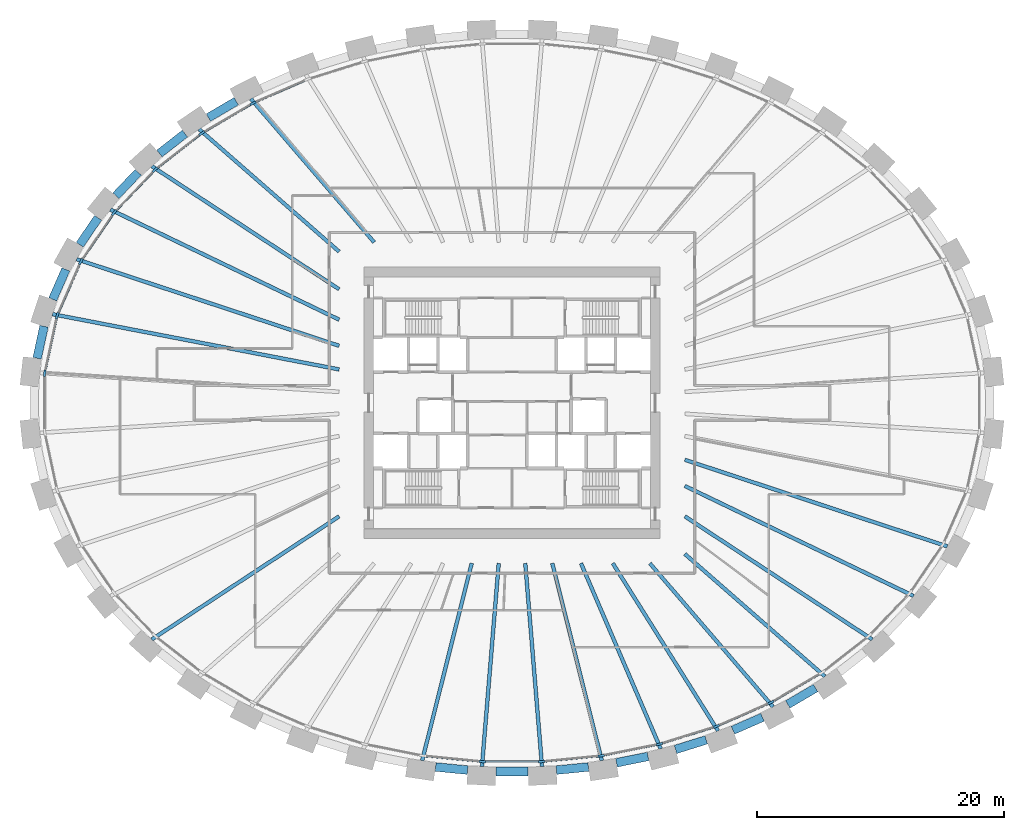
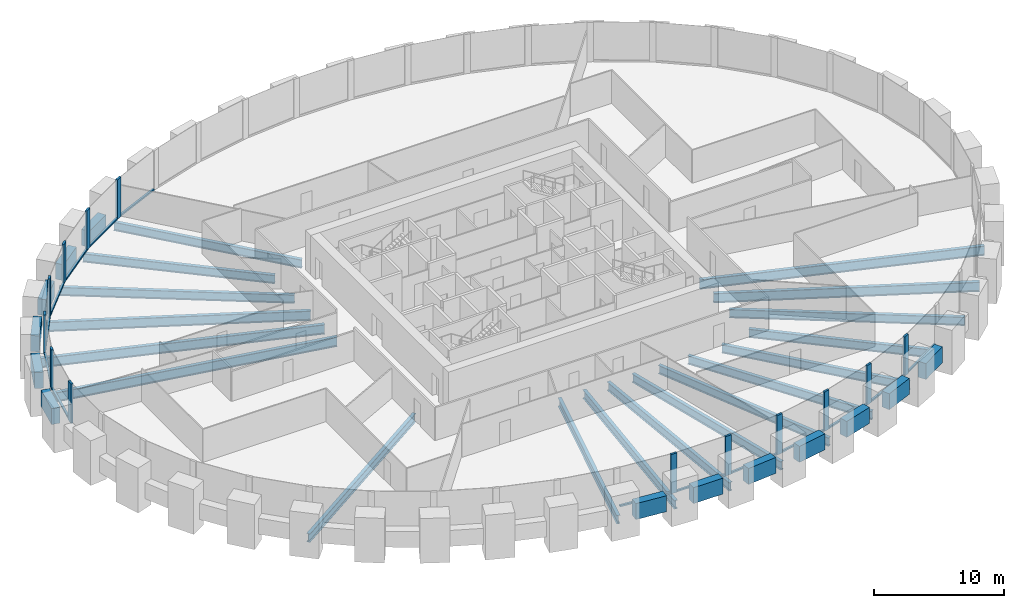
# One storey, part 2 of 11: 31 beams, 27 members, 1 element without a shape of its own.
"""IFC4 building model written with IfcOpenShell, lengths in metres."""

from ifc_helpers import new_model, si_unit, direction, frame, origin, origin_2d, place, context, subcontext, project, spatial, rectangle, i_section, extrude, source, transform, mapped, material, material_profile, profile_set, type_object, element, aggregate, save


model = new_model("IFC4")

# Units and contexts
model_context = context("Model", 3, precision=1e-05, world=origin(), true_north=direction((0.0, 1.0)))
body_context = subcontext(model_context, "Body", "Model", "MODEL_VIEW")
ifc_project = project(units=[si_unit("LENGTHUNIT", "METRE"), si_unit("AREAUNIT", "SQUARE_METRE"), si_unit("VOLUMEUNIT", "CUBIC_METRE"), si_unit("PLANEANGLEUNIT", "RADIAN"), si_unit("MASSUNIT", "GRAM", prefix="KILO")], contexts=[model_context])

# Site, building, storey
site_placement = place(None, origin())
site = spatial("IfcSite", under=ifc_project, at=site_placement, CompositionType="ELEMENT")
building_placement = place(site_placement, origin())
building = spatial("IfcBuilding", under=site, at=building_placement, Name="Embergate Tower", CompositionType="ELEMENT")
storey_placement = place(building_placement, frame((0.0, 0.0, 132.0)))
storey = spatial("IfcBuildingStorey", under=building, at=storey_placement, Name="L28", CompositionType="ELEMENT", Elevation=132.0)

# Beams
ifc_material_1 = material(Name="Concrete C70", Category="concrete")
ifc_material_profile_1 = material_profile(ifc_material_1, rectangle(XDim=0.699951171875, YDim=1.5, at=origin_2d()), Name="RC 700x1500")
ifc_profile_set_1 = profile_set([ifc_material_profile_1], Name="Concrete C70")
beam_type_1 = type_object("IfcBeamType", Name="Spandrel beam RC 700x1500 C70", PredefinedType="BEAM", material=ifc_profile_set_1)
shared_shape_1 = source(origin(), body_context, "Body", "SweptSolid", [
    extrude(rectangle(XDim=0.699951171875, YDim=1.5, at=origin_2d()), origin(), (0.0, 0.0, 1.0), 2.644287109375),
])
beam_1_placement = place(storey_placement, frame((-37.906005859375, 6.195068359375, 0.0), z_axis=(-0.210600871974, -0.977572131724, 0.0), x_axis=(0.977572131724, -0.210600871974, 0.0)))
element("IfcBeam", 1, at=beam_1_placement, inside=storey, type_object=beam_type_1, Name="SPN-L28-20", PredefinedType="BEAM", context=body_context, shape_type="MappedRepresentation", body=[
    mapped(shared_shape_1, transform((0.0, 0.0, 0.0))),
])
shared_shape_2 = source(origin(), body_context, "Body", "SweptSolid", [
    extrude(rectangle(XDim=0.699951171875, YDim=1.5, at=origin_2d()), origin(), (0.0, 0.0, 1.0), 2.640625),
])
beam_2_placement = place(storey_placement, frame((-36.137939453125, 10.801025390625, 0.0), z_axis=(-0.401827456717, -0.915715400672, 0.0), x_axis=(0.915715400672, -0.401827456717, 0.0)))
element("IfcBeam", 2, at=beam_2_placement, inside=storey, type_object=beam_type_1, Name="SPN-L28-19", PredefinedType="BEAM", context=body_context, shape_type="MappedRepresentation", body=[
    mapped(shared_shape_2, transform((0.0, 0.0, 0.0))),
])
shared_shape_3 = source(origin(), body_context, "Body", "SweptSolid", [
    extrude(rectangle(XDim=0.699951171875, YDim=1.5, at=origin_2d()), origin(), (0.0, 0.0, 1.0), 2.63037109375),
])
beam_3_placement = place(storey_placement, frame((-33.528076171875, 14.97900390625, 0.0), z_axis=(-0.562302404878, -0.826931681258, 0.0), x_axis=(0.826931681258, -0.562302404878, 0.0)))
element("IfcBeam", 3, at=beam_3_placement, inside=storey, type_object=beam_type_1, Name="SPN-L28-18", PredefinedType="BEAM", context=body_context, shape_type="MappedRepresentation", body=[
    mapped(shared_shape_3, transform((0.0, 0.0, 0.0))),
])
shared_shape_4 = source(origin(), body_context, "Body", "SweptSolid", [
    extrude(rectangle(XDim=0.699951171875, YDim=1.5, at=origin_2d()), origin(), (0.0, 0.0, 1.0), 2.6240234375),
])
beam_4_placement = place(storey_placement, frame((-30.27099609375, 18.6669921875, 0.0), z_axis=(-0.690161462012, -0.723655412716, 0.0), x_axis=(0.723655412716, -0.690161462012, 0.0)))
element("IfcBeam", 4, at=beam_4_placement, inside=storey, type_object=beam_type_1, Name="SPN-L28-17", PredefinedType="BEAM", context=body_context, shape_type="MappedRepresentation", body=[
    mapped(shared_shape_4, transform((0.0, 0.0, 0.0))),
])
shared_shape_5 = source(origin(), body_context, "Body", "SweptSolid", [
    extrude(rectangle(XDim=0.699951171875, YDim=1.5, at=origin_2d()), origin(), (0.0, 0.0, 1.0), 2.617431640625),
])
beam_5_placement = place(storey_placement, frame((-26.489990234375, 21.806884765625, 0.0), z_axis=(-0.788185558189, -0.615437670169, 0.0), x_axis=(0.615437670169, -0.788185558189, 0.0)))
element("IfcBeam", 5, at=beam_5_placement, inside=storey, type_object=beam_type_1, Name="SPN-L28-16", PredefinedType="BEAM", context=body_context, shape_type="MappedRepresentation", body=[
    mapped(shared_shape_5, transform((0.0, 0.0, 0.0))),
])
shared_shape_6 = source(origin(), body_context, "Body", "SweptSolid", [
    extrude(rectangle(XDim=0.699951171875, YDim=1.5, at=origin_2d()), origin(), (0.0, 0.0, 1.0), 2.61328125),
])
for number, where, z_axis, x_axis, name in (
    (6, (-22.3349609375, 24.425048828125, 0.0), (-0.862147892726, -0.506656699421, 0.0), (0.506656699421, -0.862147892726, 0.0), "SPN-L28-15"),
    (7, (22.3349609375, -24.425048828125, 0.0), (0.862147892726, 0.506656699421, 0.0), (-0.506656699421, 0.862147892726, 0.0), "SPN-L28-37"),
):
    element("IfcBeam", number, at=place(storey_placement, frame(where, z_axis=z_axis, x_axis=x_axis)), inside=storey, type_object=beam_type_1, Name=name, PredefinedType="BEAM", context=body_context, shape_type="MappedRepresentation", body=[
        mapped(shared_shape_6, transform((0.0, 0.0, 0.0))),
    ])
shared_shape_7 = source(origin(), body_context, "Body", "SweptSolid", [
    extrude(rectangle(XDim=0.699951171875, YDim=1.5, at=origin_2d()), origin(), (0.0, 0.0, 1.0), 2.609619140625),
])
beam_6_placement = place(storey_placement, frame((17.89501953125, -26.51611328125, 0.0), z_axis=(0.916138010335, 0.400863001561, 0.0), x_axis=(-0.400863001561, 0.916138010335, 0.0)))
element("IfcBeam", 8, at=beam_6_placement, inside=storey, type_object=beam_type_1, Name="SPN-L28-36", PredefinedType="BEAM", context=body_context, shape_type="MappedRepresentation", body=[
    mapped(shared_shape_7, transform((0.0, 0.0, 0.0))),
])
shared_shape_8 = source(origin(), body_context, "Body", "SweptSolid", [
    extrude(rectangle(XDim=0.699951171875, YDim=1.5, at=origin_2d()), origin(), (0.0, 0.0, 1.0), 2.605712890625),
])
beam_7_placement = place(storey_placement, frame((13.2451171875, -28.075927734375, 0.0), z_axis=(0.954756318778, 0.297389259647, 0.0), x_axis=(-0.297389259647, 0.954756318778, 0.0)))
element("IfcBeam", 9, at=beam_7_placement, inside=storey, type_object=beam_type_1, Name="SPN-L28-35", PredefinedType="BEAM", context=body_context, shape_type="MappedRepresentation", body=[
    mapped(shared_shape_8, transform((0.0, 0.0, 0.0))),
])
shared_shape_9 = source(origin(), body_context, "Body", "SweptSolid", [
    extrude(rectangle(XDim=0.699951171875, YDim=1.5, at=origin_2d()), origin(), (0.0, 0.0, 1.0), 2.602783203125),
])
beam_8_placement = place(storey_placement, frame((8.464111328125, -29.156982421875, 0.0), z_axis=(0.98046506275, 0.196693316425, 0.0), x_axis=(-0.196693316425, 0.98046506275, 0.0)))
element("IfcBeam", 10, at=beam_8_placement, inside=storey, type_object=beam_type_1, Name="SPN-L28-34", PredefinedType="BEAM", context=body_context, shape_type="MappedRepresentation", body=[
    mapped(shared_shape_9, transform((0.0, 0.0, 0.0))),
])
shared_shape_10 = source(origin(), body_context, "Body", "SweptSolid", [
    extrude(rectangle(XDim=0.699951171875, YDim=1.5, at=origin_2d()), origin(), (0.0, 0.0, 1.0), 2.603515625),
])
for number, where, z_axis, x_axis, name in (
    (11, (-6.18896484375, -29.49609375, 0.0), (0.995232987849, -0.097525893467, 0.0), (0.097525893467, 0.995232987849, 0.0), "SPN-L28-31"),
    (12, (3.597900390625, -29.75, 0.0), (0.995232987849, 0.097525893467, 0.0), (-0.097525893467, 0.995232987849, 0.0), "SPN-L28-33"),
):
    element("IfcBeam", number, at=place(storey_placement, frame(where, z_axis=z_axis, x_axis=x_axis)), inside=storey, type_object=beam_type_1, Name=name, PredefinedType="BEAM", context=body_context, shape_type="MappedRepresentation", body=[
        mapped(shared_shape_10, transform((0.0, 0.0, 0.0))),
    ])
shared_shape_11 = source(origin(), body_context, "Body", "SweptSolid", [
    extrude(rectangle(XDim=0.699951171875, YDim=1.5, at=origin_2d()), origin(), (0.0, 0.0, 1.0), 2.60205078125),
])
beam_9_placement = place(storey_placement, frame((-1.301025390625, -29.863037109375, 0.0), z_axis=(1.0, 0.0, 0.0), x_axis=(0.0, 1.0, 0.0)))
element("IfcBeam", 13, at=beam_9_placement, inside=storey, type_object=beam_type_1, Name="SPN-L28-32", PredefinedType="BEAM", context=body_context, shape_type="MappedRepresentation", body=[
    mapped(shared_shape_11, transform((0.0, 0.0, 0.0))),
])
ifc_material_2 = material(Name="Steel Q355B", Category="steel")
ifc_material_profile_2 = material_profile(ifc_material_2, i_section(OverallWidth=0.300048828125, OverallDepth=0.89990234375, WebThickness=0.01611328125, FlangeThickness=0.028076171875, FilletRadius=0.028076171875, at=origin_2d()), Name="HN 900x300x16x28")
ifc_profile_set_2 = profile_set([ifc_material_profile_2], Name="Steel Q355 grade B")
beam_type_2 = type_object("IfcBeamType", Name="Radial girder HN 900x300x16x28", PredefinedType="BEAM", material=ifc_profile_set_2)
shared_shape_12 = source(origin(), body_context, "Body", "SweptSolid", [
    extrude(i_section(OverallWidth=0.300048828125, OverallDepth=0.89990234375, WebThickness=0.01611328125, FlangeThickness=0.028076171875, FilletRadius=0.028076171875, at=origin_2d()), origin(), (0.0, 0.0, 1.0), 23.64208984375),
])
beam_10_placement = place(storey_placement, frame((-37.214111328125, 7.178955078125, -0.949951171875), z_axis=(0.981898233301, -0.189409238, 0.0), x_axis=(0.189409238, 0.981898233301, 0.0)))
element("IfcBeam", 14, at=beam_10_placement, inside=storey, type_object=beam_type_2, Name="GIR-L28-20", PredefinedType="BEAM", context=body_context, shape_type="MappedRepresentation", body=[
    mapped(shared_shape_12, transform((0.0, 0.0, 0.0))),
])
shared_shape_13 = source(origin(), body_context, "Body", "SweptSolid", [
    extrude(i_section(OverallWidth=0.300048828125, OverallDepth=0.89990234375, WebThickness=0.01611328125, FlangeThickness=0.028076171875, FilletRadius=0.028076171875, at=origin_2d()), origin(), (0.0, 0.0, 1.0), 22.388427734375),
])
for number, where, z_axis, x_axis, name in (
    (15, (-35.261962890625, 11.62890625, -0.949951171875), (0.949688245949, -0.313196799962, 0.0), (0.313196799962, 0.949688245949, 0.0), "GIR-L28-19"),
    (16, (35.261962890625, -11.62890625, -0.949951171875), (-0.949688245949, 0.313196799962, 0.0), (-0.313196799962, -0.949688245949, 0.0), "GIR-L28-41"),
):
    element("IfcBeam", number, at=place(storey_placement, frame(where, z_axis=z_axis, x_axis=x_axis)), inside=storey, type_object=beam_type_2, Name=name, PredefinedType="BEAM", context=body_context, shape_type="MappedRepresentation", body=[
        mapped(shared_shape_13, transform((0.0, 0.0, 0.0))),
    ])
shared_shape_14 = source(origin(), body_context, "Body", "SweptSolid", [
    extrude(i_section(OverallWidth=0.300048828125, OverallDepth=0.89990234375, WebThickness=0.01611328125, FlangeThickness=0.028076171875, FilletRadius=0.028076171875, at=origin_2d()), origin(), (0.0, 0.0, 1.0), 20.560791015625),
])
for number, where, z_axis, x_axis, name in (
    (17, (-32.528076171875, 15.64892578125, -0.949951171875), (0.901136736835, -0.433534983049, 0.0), (0.433534983049, 0.901136736835, 0.0), "GIR-L28-18"),
    (18, (32.528076171875, -15.64892578125, -0.949951171875), (-0.901136736835, 0.433534983049, 0.0), (-0.433534983049, -0.901136736835, 0.0), "GIR-L28-40"),
):
    element("IfcBeam", number, at=place(storey_placement, frame(where, z_axis=z_axis, x_axis=x_axis)), inside=storey, type_object=beam_type_2, Name=name, PredefinedType="BEAM", context=body_context, shape_type="MappedRepresentation", body=[
        mapped(shared_shape_14, transform((0.0, 0.0, 0.0))),
    ])
ifc_material_profile_3 = material_profile(ifc_material_2, i_section(OverallWidth=0.300048828125, OverallDepth=0.800048828125, WebThickness=0.013916015625, FlangeThickness=0.02587890625, FilletRadius=0.028076171875, at=origin_2d()), Name="HN 800x300x14x26")
ifc_profile_set_3 = profile_set([ifc_material_profile_3], Name="Steel Q355 grade B")
beam_type_3 = type_object("IfcBeamType", Name="Radial girder HN 800x300x14x26", PredefinedType="BEAM", material=ifc_profile_set_3)
shared_shape_15 = source(origin(), body_context, "Body", "SweptSolid", [
    extrude(i_section(OverallWidth=0.300048828125, OverallDepth=0.800048828125, WebThickness=0.013916015625, FlangeThickness=0.02587890625, FilletRadius=0.028076171875, at=origin_2d()), origin(), (0.0, 0.0, 1.0), 18.155029296875),
])
for number, where, z_axis, x_axis, name in (
    (19, (-29.173095703125, 19.1669921875, -0.89990234375), (0.835753440048, -0.549104896579, 0.0), (0.549104896579, 0.835753440048, 0.0), "GIR-L28-17"),
    (20, (-29.173095703125, -19.1669921875, -0.89990234375), (0.835753440048, 0.549104896579, 0.0), (-0.549104896579, 0.835753440048, 0.0), "GIR-L28-26"),
    (21, (29.173095703125, -19.1669921875, -0.89990234375), (-0.835753440048, 0.549104896579, 0.0), (-0.549104896579, -0.835753440048, 0.0), "GIR-L28-39"),
):
    element("IfcBeam", number, at=place(storey_placement, frame(where, z_axis=z_axis, x_axis=x_axis)), inside=storey, type_object=beam_type_3, Name=name, PredefinedType="BEAM", context=body_context, shape_type="MappedRepresentation", body=[
        mapped(shared_shape_15, transform((0.0, 0.0, 0.0))),
    ])
shared_shape_16 = source(origin(), body_context, "Body", "SweptSolid", [
    extrude(i_section(OverallWidth=0.300048828125, OverallDepth=0.800048828125, WebThickness=0.013916015625, FlangeThickness=0.02587890625, FilletRadius=0.028076171875, at=origin_2d()), origin(), (0.0, 0.0, 1.0), 15.064697265625),
])
for number, where, z_axis, x_axis, name in (
    (22, (-25.340087890625, 22.159912109375, -0.89990234375), (0.752760383149, -0.65829461912, 0.0), (0.65829461912, 0.752760383149, 0.0), "GIR-L28-16"),
    (23, (25.340087890625, -22.159912109375, -0.89990234375), (-0.752760383149, 0.65829461912, 0.0), (-0.65829461912, -0.752760383149, 0.0), "GIR-L28-38"),
):
    element("IfcBeam", number, at=place(storey_placement, frame(where, z_axis=z_axis, x_axis=x_axis)), inside=storey, type_object=beam_type_3, Name=name, PredefinedType="BEAM", context=body_context, shape_type="MappedRepresentation", body=[
        mapped(shared_shape_16, transform((0.0, 0.0, 0.0))),
    ])
shared_shape_17 = source(origin(), body_context, "Body", "SweptSolid", [
    extrude(i_section(OverallWidth=0.300048828125, OverallDepth=0.800048828125, WebThickness=0.013916015625, FlangeThickness=0.02587890625, FilletRadius=0.028076171875, at=origin_2d()), origin(), (0.0, 0.0, 1.0), 15.32177734375),
])
for number, where, z_axis, x_axis, name in (
    (24, (-21.14599609375, 24.6240234375, -0.89990234375), (0.651486582334, -0.758660156486, 0.0), (0.758660156486, 0.651486582334, 0.0), "GIR-L28-15"),
    (25, (21.14599609375, -24.6240234375, -0.89990234375), (-0.651486582334, 0.758660156486, 0.0), (-0.758660156486, -0.651486582334, 0.0), "GIR-L28-37"),
):
    element("IfcBeam", number, at=place(storey_placement, frame(where, z_axis=z_axis, x_axis=x_axis)), inside=storey, type_object=beam_type_3, Name=name, PredefinedType="BEAM", context=body_context, shape_type="MappedRepresentation", body=[
        mapped(shared_shape_17, transform((0.0, 0.0, 0.0))),
    ])
shared_shape_18 = source(origin(), body_context, "Body", "SweptSolid", [
    extrude(i_section(OverallWidth=0.300048828125, OverallDepth=0.800048828125, WebThickness=0.013916015625, FlangeThickness=0.02587890625, FilletRadius=0.028076171875, at=origin_2d()), origin(), (0.0, 0.0, 1.0), 16.029052734375),
])
beam_11_placement = place(storey_placement, frame((16.68994140625, -26.573974609375, -0.89990234375), z_axis=(-0.531844599724, 0.846841969759, 0.0), x_axis=(-0.846841969759, -0.531844599724, 0.0)))
element("IfcBeam", 26, at=beam_11_placement, inside=storey, type_object=beam_type_3, Name="GIR-L28-36", PredefinedType="BEAM", context=body_context, shape_type="MappedRepresentation", body=[
    mapped(shared_shape_18, transform((0.0, 0.0, 0.0))),
])
shared_shape_19 = source(origin(), body_context, "Body", "SweptSolid", [
    extrude(i_section(OverallWidth=0.300048828125, OverallDepth=0.800048828125, WebThickness=0.013916015625, FlangeThickness=0.02587890625, FilletRadius=0.028076171875, at=origin_2d()), origin(), (0.0, 0.0, 1.0), 16.3486328125),
])
beam_12_placement = place(storey_placement, frame((12.0439453125, -28.02001953125, -0.89990234375), z_axis=(-0.394895919254, 0.918725863877, 0.0), x_axis=(-0.918725863877, -0.394895919254, 0.0)))
element("IfcBeam", 27, at=beam_12_placement, inside=storey, type_object=beam_type_3, Name="GIR-L28-35", PredefinedType="BEAM", context=body_context, shape_type="MappedRepresentation", body=[
    mapped(shared_shape_19, transform((0.0, 0.0, 0.0))),
])
shared_shape_20 = source(origin(), body_context, "Body", "SweptSolid", [
    extrude(i_section(OverallWidth=0.300048828125, OverallDepth=0.800048828125, WebThickness=0.013916015625, FlangeThickness=0.02587890625, FilletRadius=0.028076171875, at=origin_2d()), origin(), (0.0, 0.0, 1.0), 16.472900390625),
])
for number, where, z_axis, x_axis, name in (
    (28, (-7.27490234375, -28.97705078125, -0.89990234375), (0.243491013448, 0.969903153088, 0.0), (-0.969903153088, 0.243491013448, 0.0), "GIR-L28-31"),
    (29, (7.27490234375, -28.97705078125, -0.89990234375), (-0.243491013448, 0.969903153088, 0.0), (-0.969903153088, -0.243491013448, 0.0), "GIR-L28-34"),
):
    element("IfcBeam", number, at=place(storey_placement, frame(where, z_axis=z_axis, x_axis=x_axis)), inside=storey, type_object=beam_type_3, Name=name, PredefinedType="BEAM", context=body_context, shape_type="MappedRepresentation", body=[
        mapped(shared_shape_20, transform((0.0, 0.0, 0.0))),
    ])
shared_shape_21 = source(origin(), body_context, "Body", "SweptSolid", [
    extrude(i_section(OverallWidth=0.300048828125, OverallDepth=0.800048828125, WebThickness=0.013916015625, FlangeThickness=0.02587890625, FilletRadius=0.028076171875, at=origin_2d()), origin(), (0.0, 0.0, 1.0), 16.5087890625),
])
for number, where, z_axis, x_axis, name in (
    (30, (-2.431884765625, -29.452880859375, -0.89990234375), (0.082253606251, 0.996611430929, 0.0), (-0.996611430929, 0.082253606251, 0.0), "GIR-L28-32"),
    (31, (2.431884765625, -29.452880859375, -0.89990234375), (-0.082253606251, 0.996611430929, 0.0), (-0.996611430929, -0.082253606251, 0.0), "GIR-L28-33"),
):
    element("IfcBeam", number, at=place(storey_placement, frame(where, z_axis=z_axis, x_axis=x_axis)), inside=storey, type_object=beam_type_3, Name=name, PredefinedType="BEAM", context=body_context, shape_type="MappedRepresentation", body=[
        mapped(shared_shape_21, transform((0.0, 0.0, 0.0))),
    ])

# Curtain wall, members
ifc_material_3 = material(Name="Aluminium and glass", Category="aluminium")
curtain_wall_type = type_object("IfcCurtainWallType", Name="Recessed office glazing", PredefinedType="NOTDEFINED", material=ifc_material_3)
curtain_wall_placement = place(storey_placement, origin())
curtain_wall = element("IfcCurtainWall", 32, at=curtain_wall_placement, inside=storey, type_object=curtain_wall_type, Name="Recessed office glazing ring", ObjectType="RECESSED OFFICE GLAZING", PredefinedType="USERDEFINED")
ifc_material_4 = material(Name="Aluminium, thermally broken", Category="aluminium")
ifc_material_profile_4 = material_profile(ifc_material_4, rectangle(XDim=0.179931640625, YDim=0.52001953125, at=origin_2d()), Name="AL 520x180")
ifc_profile_set_4 = profile_set([ifc_material_profile_4], Name="Aluminium, thermally broken")
member_type_1 = type_object("IfcMemberType", Name="Office mullion", PredefinedType="MULLION", material=ifc_profile_set_4)
shared_shape_22 = source(origin(), body_context, "Body", "SweptSolid", [
    extrude(rectangle(XDim=0.179931640625, YDim=0.52001953125, at=origin_2d()), origin(), (0.0, 0.0, 1.0), 3.699951171875),
])
member_1_placement = place(storey_placement, frame((-20.969482421875, 24.27685546875, 0.0), z_axis=(0.0, 0.0, 1.0), x_axis=(0.454508271251, -0.890742516872, 0.0)))
member_1 = element("IfcMember", 33, at=member_1_placement, type_object=member_type_1, Name="CW mullion 16", PredefinedType="MULLION", context=body_context, shape_type="MappedRepresentation", body=[
    mapped(shared_shape_22, transform((0.0, 0.0, 0.0))),
])
member_2_placement = place(storey_placement, frame((-25.12060546875, 21.83642578125, 0.0), z_axis=(0.0, 0.0, 1.0), x_axis=(0.562214731803, -0.826991290972, 0.0)))
member_2 = element("IfcMember", 34, at=member_2_placement, type_object=member_type_1, Name="CW mullion 17", PredefinedType="MULLION", context=body_context, shape_type="MappedRepresentation", body=[
    mapped(shared_shape_22, transform((0.0, 0.0, 0.0))),
])
member_3_placement = place(storey_placement, frame((-28.912109375, 18.87744140625, 0.0), z_axis=(0.0, 0.0, 1.0), x_axis=(0.671225240226, -0.741253449829, 0.0)))
member_3 = element("IfcMember", 35, at=member_3_placement, type_object=member_type_1, Name="CW mullion 18", PredefinedType="MULLION", context=body_context, shape_type="MappedRepresentation", body=[
    mapped(shared_shape_22, transform((0.0, 0.0, 0.0))),
])
member_4_placement = place(storey_placement, frame((-32.22607421875, 15.40234375, 0.0), z_axis=(0.0, 0.0, 1.0), x_axis=(0.777872564355, -0.628422050555, 0.0)))
member_4 = element("IfcMember", 36, at=member_4_placement, type_object=member_type_1, Name="CW mullion 19", PredefinedType="MULLION", context=body_context, shape_type="MappedRepresentation", body=[
    mapped(shared_shape_22, transform((0.0, 0.0, 0.0))),
])
member_5_placement = place(storey_placement, frame((-34.92138671875, 11.43896484375, 0.0), z_axis=(0.0, 0.0, 1.0), x_axis=(0.875001895832, -0.484119491748, 0.0)))
member_5 = element("IfcMember", 37, at=member_5_placement, type_object=member_type_1, Name="CW mullion 20", PredefinedType="MULLION", context=body_context, shape_type="MappedRepresentation", body=[
    mapped(shared_shape_22, transform((0.0, 0.0, 0.0))),
])
member_6_placement = place(storey_placement, frame((-36.843017578125, 7.0576171875, 0.0), z_axis=(0.0, 0.0, 1.0), x_axis=(0.951498334951, -0.307653894149, 0.0)))
member_6 = element("IfcMember", 38, at=member_6_placement, type_object=member_type_1, Name="CW mullion 21", PredefinedType="MULLION", context=body_context, shape_type="MappedRepresentation", body=[
    mapped(shared_shape_22, transform((0.0, 0.0, 0.0))),
])
member_7_placement = place(storey_placement, frame((-37.84814453125, 2.38720703125, 0.0), z_axis=(0.0, 0.0, 1.0), x_axis=(0.994384954736, -0.105823257345, 0.0)))
member_7 = element("IfcMember", 39, at=member_7_placement, type_object=member_type_1, Name="CW mullion 22", PredefinedType="MULLION", context=body_context, shape_type="MappedRepresentation", body=[
    mapped(shared_shape_22, transform((0.0, 0.0, 0.0))),
])
member_8_placement = place(storey_placement, frame((-2.41357421875, -29.06298828125, 0.0), z_axis=(0.0, 0.0, 1.0), x_axis=(0.048971796621, 0.998800161762, 0.0)))
member_8 = element("IfcMember", 40, at=member_8_placement, type_object=member_type_1, Name="CW mullion 33", PredefinedType="MULLION", context=body_context, shape_type="MappedRepresentation", body=[
    mapped(shared_shape_22, transform((0.0, 0.0, 0.0))),
])
member_9_placement = place(storey_placement, frame((2.41357421875, -29.06298828125, 0.0), z_axis=(0.0, 0.0, 1.0), x_axis=(-0.048971796621, 0.998800161762, 0.0)))
member_9 = element("IfcMember", 41, at=member_9_placement, type_object=member_type_1, Name="CW mullion 34", PredefinedType="MULLION", context=body_context, shape_type="MappedRepresentation", body=[
    mapped(shared_shape_22, transform((0.0, 0.0, 0.0))),
])
member_10_placement = place(storey_placement, frame((7.217041015625, -28.5908203125, 0.0), z_axis=(0.0, 0.0, 1.0), x_axis=(-0.147410656556, 0.989075375456, 0.0)))
member_10 = element("IfcMember", 42, at=member_10_placement, type_object=member_type_1, Name="CW mullion 35", PredefinedType="MULLION", context=body_context, shape_type="MappedRepresentation", body=[
    mapped(shared_shape_22, transform((0.0, 0.0, 0.0))),
])
member_11_placement = place(storey_placement, frame((11.9482421875, -27.64208984375, 0.0), z_axis=(0.0, 0.0, 1.0), x_axis=(-0.247310190257, 0.968936360034, 0.0)))
member_11 = element("IfcMember", 43, at=member_11_placement, type_object=member_type_1, Name="CW mullion 36", PredefinedType="MULLION", context=body_context, shape_type="MappedRepresentation", body=[
    mapped(shared_shape_22, transform((0.0, 0.0, 0.0))),
])
member_12_placement = place(storey_placement, frame((16.553466796875, -26.2080078125, 0.0), z_axis=(0.0, 0.0, 1.0), x_axis=(-0.349501047589, 0.936935973124, 0.0)))
member_12 = element("IfcMember", 44, at=member_12_placement, type_object=member_type_1, Name="CW mullion 37", PredefinedType="MULLION", context=body_context, shape_type="MappedRepresentation", body=[
    mapped(shared_shape_22, transform((0.0, 0.0, 0.0))),
])
member_13_placement = place(storey_placement, frame((20.969482421875, -24.27685546875, 0.0), z_axis=(0.0, 0.0, 1.0), x_axis=(-0.454508271251, 0.890742516872, 0.0)))
member_13 = element("IfcMember", 45, at=member_13_placement, type_object=member_type_1, Name="CW mullion 38", PredefinedType="MULLION", context=body_context, shape_type="MappedRepresentation", body=[
    mapped(shared_shape_22, transform((0.0, 0.0, 0.0))),
])
ifc_material_profile_5 = material_profile(ifc_material_4, rectangle(XDim=0.179931640625, YDim=0.14990234375, at=origin_2d()), Name="AL 150x180")
ifc_profile_set_5 = profile_set([ifc_material_profile_5], Name="Aluminium, thermally broken")
member_type_2 = type_object("IfcMemberType", Name="Office sill transom", PredefinedType="USERDEFINED", material=ifc_profile_set_5)
shared_shape_23 = source(origin(), body_context, "Body", "SweptSolid", [
    extrude(rectangle(XDim=0.179931640625, YDim=0.14990234375, at=origin_2d()), origin(), (0.0, 0.0, 1.0), 4.30322265625),
])
member_14_placement = place(storey_placement, frame((12.196533203125, -27.564697265625, 0.074951171875), z_axis=(0.954771265883, 0.297341268316, 0.0), x_axis=(-0.297341268316, 0.954771265883, 0.0)))
member_14 = element("IfcMember", 46, at=member_14_placement, type_object=member_type_2, Name="CW transom 36.1", ObjectType="TRANSOM", PredefinedType="USERDEFINED", context=body_context, shape_type="MappedRepresentation", body=[
    mapped(shared_shape_23, transform((0.0, 0.0, 0.0))),
])
shared_shape_24 = source(origin(), body_context, "Body", "SweptSolid", [
    extrude(rectangle(XDim=0.179931640625, YDim=0.14990234375, at=origin_2d()), origin(), (0.0, 0.0, 1.0), 4.25732421875),
])
member_15_placement = place(storey_placement, frame((-36.897705078125, 6.803466796875, 0.074951171875), z_axis=(-0.210398410423, -0.977615726598, 0.0), x_axis=(0.977615726598, -0.210398410423, 0.0)))
member_15 = element("IfcMember", 47, at=member_15_placement, type_object=member_type_2, Name="CW transom 21.1", ObjectType="TRANSOM", PredefinedType="USERDEFINED", context=body_context, shape_type="MappedRepresentation", body=[
    mapped(shared_shape_24, transform((0.0, 0.0, 0.0))),
])
shared_shape_25 = source(origin(), body_context, "Body", "SweptSolid", [
    extrude(rectangle(XDim=0.179931640625, YDim=0.14990234375, at=origin_2d()), origin(), (0.0, 0.0, 1.0), 4.26416015625),
])
member_16_placement = place(storey_placement, frame((-35.02587890625, 11.20068359375, 0.074951171875), z_axis=(-0.401644646583, -0.915795598303, 0.0), x_axis=(0.915795598303, -0.401644646583, 0.0)))
member_16 = element("IfcMember", 48, at=member_16_placement, type_object=member_type_2, Name="CW transom 20.1", ObjectType="TRANSOM", PredefinedType="USERDEFINED", context=body_context, shape_type="MappedRepresentation", body=[
    mapped(shared_shape_25, transform((0.0, 0.0, 0.0))),
])
shared_shape_26 = source(origin(), body_context, "Body", "SweptSolid", [
    extrude(rectangle(XDim=0.179931640625, YDim=0.14990234375, at=origin_2d()), origin(), (0.0, 0.0, 1.0), 4.273193359375),
])
member_17_placement = place(storey_placement, frame((-32.372314453125, 15.1875, 0.074951171875), z_axis=(-0.562297519714, -0.826935003083, 0.0), x_axis=(0.826935003083, -0.562297519714, 0.0)))
member_17 = element("IfcMember", 49, at=member_17_placement, type_object=member_type_2, Name="CW transom 19.1", ObjectType="TRANSOM", PredefinedType="USERDEFINED", context=body_context, shape_type="MappedRepresentation", body=[
    mapped(shared_shape_26, transform((0.0, 0.0, 0.0))),
])
shared_shape_27 = source(origin(), body_context, "Body", "SweptSolid", [
    extrude(rectangle(XDim=0.179931640625, YDim=0.14990234375, at=origin_2d()), origin(), (0.0, 0.0, 1.0), 4.28173828125),
])
member_18_placement = place(storey_placement, frame((-29.091552734375, 18.689208984375, 0.074951171875), z_axis=(-0.690114923588, -0.72369979428, 0.0), x_axis=(0.72369979428, -0.690114923588, 0.0)))
member_18 = element("IfcMember", 50, at=member_18_placement, type_object=member_type_2, Name="CW transom 18.1", ObjectType="TRANSOM", PredefinedType="USERDEFINED", context=body_context, shape_type="MappedRepresentation", body=[
    mapped(shared_shape_27, transform((0.0, 0.0, 0.0))),
])
shared_shape_28 = source(origin(), body_context, "Body", "SweptSolid", [
    extrude(rectangle(XDim=0.179931640625, YDim=0.14990234375, at=origin_2d()), origin(), (0.0, 0.0, 1.0), 4.289306640625),
])
member_19_placement = place(storey_placement, frame((-25.32568359375, 21.676513671875, 0.074951171875), z_axis=(-0.788309050115, -0.615279482436, 0.0), x_axis=(0.615279482436, -0.788309050115, 0.0)))
member_19 = element("IfcMember", 51, at=member_19_placement, type_object=member_type_2, Name="CW transom 17.1", ObjectType="TRANSOM", PredefinedType="USERDEFINED", context=body_context, shape_type="MappedRepresentation", body=[
    mapped(shared_shape_28, transform((0.0, 0.0, 0.0))),
])
shared_shape_29 = source(origin(), body_context, "Body", "SweptSolid", [
    extrude(rectangle(XDim=0.179931640625, YDim=0.14990234375, at=origin_2d()), origin(), (0.0, 0.0, 1.0), 4.29541015625),
])
member_20_placement = place(storey_placement, frame((-21.193603515625, 24.14501953125, 0.074951171875), z_axis=(-0.862052542004, -0.506818917192, 0.0), x_axis=(0.506818917192, -0.862052542004, 0.0)))
member_20 = element("IfcMember", 52, at=member_20_placement, type_object=member_type_2, Name="CW transom 16.1", ObjectType="TRANSOM", PredefinedType="USERDEFINED", context=body_context, shape_type="MappedRepresentation", body=[
    mapped(shared_shape_29, transform((0.0, 0.0, 0.0))),
])
member_21_placement = place(storey_placement, frame((21.193603515625, -24.14501953125, 0.074951171875), z_axis=(0.862052542004, 0.506818917192, 0.0), x_axis=(-0.506818917192, 0.862052542004, 0.0)))
member_21 = element("IfcMember", 53, at=member_21_placement, type_object=member_type_2, Name="CW transom 38.1", ObjectType="TRANSOM", PredefinedType="USERDEFINED", context=body_context, shape_type="MappedRepresentation", body=[
    mapped(shared_shape_29, transform((0.0, 0.0, 0.0))),
])
shared_shape_30 = source(origin(), body_context, "Body", "SweptSolid", [
    extrude(rectangle(XDim=0.179931640625, YDim=0.14990234375, at=origin_2d()), origin(), (0.0, 0.0, 1.0), 4.300048828125),
])
member_22_placement = place(storey_placement, frame((-16.79150390625, 26.103759765625, 0.074951171875), z_axis=(-0.916248524826, -0.400610335306, 0.0), x_axis=(0.400610335306, -0.916248524826, 0.0)))
member_22 = element("IfcMember", 54, at=member_22_placement, type_object=member_type_2, Name="CW transom 15.1", ObjectType="TRANSOM", PredefinedType="USERDEFINED", context=body_context, shape_type="MappedRepresentation", body=[
    mapped(shared_shape_30, transform((0.0, 0.0, 0.0))),
])
member_23_placement = place(storey_placement, frame((16.79150390625, -26.103759765625, 0.074951171875), z_axis=(0.916248524826, 0.400610335306, 0.0), x_axis=(-0.400610335306, 0.916248524826, 0.0)))
member_23 = element("IfcMember", 55, at=member_23_placement, type_object=member_type_2, Name="CW transom 37.1", ObjectType="TRANSOM", PredefinedType="USERDEFINED", context=body_context, shape_type="MappedRepresentation", body=[
    mapped(shared_shape_30, transform((0.0, 0.0, 0.0))),
])
shared_shape_31 = source(origin(), body_context, "Body", "SweptSolid", [
    extrude(rectangle(XDim=0.179931640625, YDim=0.14990234375, at=origin_2d()), origin(), (0.0, 0.0, 1.0), 4.305419921875),
])
member_24_placement = place(storey_placement, frame((7.471923828125, -28.539794921875, 0.074951171875), z_axis=(0.980473664356, 0.196650434792, 0.0), x_axis=(-0.196650434792, 0.980473664356, 0.0)))
member_24 = element("IfcMember", 56, at=member_24_placement, type_object=member_type_2, Name="CW transom 35.1", ObjectType="TRANSOM", PredefinedType="USERDEFINED", context=body_context, shape_type="MappedRepresentation", body=[
    mapped(shared_shape_31, transform((0.0, 0.0, 0.0))),
])
shared_shape_32 = source(origin(), body_context, "Body", "SweptSolid", [
    extrude(rectangle(XDim=0.179931640625, YDim=0.14990234375, at=origin_2d()), origin(), (0.0, 0.0, 1.0), 4.306884765625),
])
member_25_placement = place(storey_placement, frame((-6.95849609375, -28.6162109375, 0.074951171875), z_axis=(0.995201936344, -0.097842250064, 0.0), x_axis=(0.097842250064, 0.995201936344, 0.0)))
member_25 = element("IfcMember", 57, at=member_25_placement, type_object=member_type_2, Name="CW transom 32.1", ObjectType="TRANSOM", PredefinedType="USERDEFINED", context=body_context, shape_type="MappedRepresentation", body=[
    mapped(shared_shape_32, transform((0.0, 0.0, 0.0))),
])
member_26_placement = place(storey_placement, frame((2.67236328125, -29.03759765625, 0.074951171875), z_axis=(0.995201936344, 0.097842250064, 0.0), x_axis=(-0.097842250064, 0.995201936344, 0.0)))
member_26 = element("IfcMember", 58, at=member_26_placement, type_object=member_type_2, Name="CW transom 34.1", ObjectType="TRANSOM", PredefinedType="USERDEFINED", context=body_context, shape_type="MappedRepresentation", body=[
    mapped(shared_shape_32, transform((0.0, 0.0, 0.0))),
])
shared_shape_33 = source(origin(), body_context, "Body", "SweptSolid", [
    extrude(rectangle(XDim=0.179931640625, YDim=0.14990234375, at=origin_2d()), origin(), (0.0, 0.0, 1.0), 4.30712890625),
])
member_27_placement = place(storey_placement, frame((-2.153564453125, -29.06298828125, 0.074951171875), z_axis=(1.0, 0.0, 0.0), x_axis=(0.0, 1.0, 0.0)))
member_27 = element("IfcMember", 59, at=member_27_placement, type_object=member_type_2, Name="CW transom 33.1", ObjectType="TRANSOM", PredefinedType="USERDEFINED", context=body_context, shape_type="MappedRepresentation", body=[
    mapped(shared_shape_33, transform((0.0, 0.0, 0.0))),
])
aggregate(curtain_wall, [member_1, member_2, member_3, member_4, member_5, member_6, member_7, member_8, member_9, member_10, member_11, member_12, member_13, member_22, member_20, member_19, member_18, member_17, member_16, member_15, member_25, member_27, member_26, member_24, member_14, member_23, member_21])

save(model, "model.ifc")
